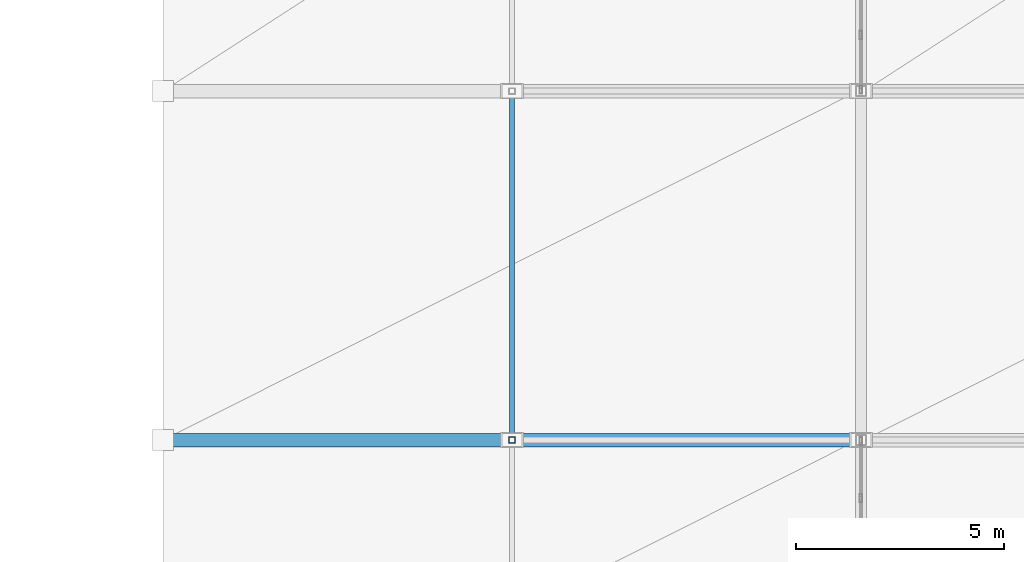
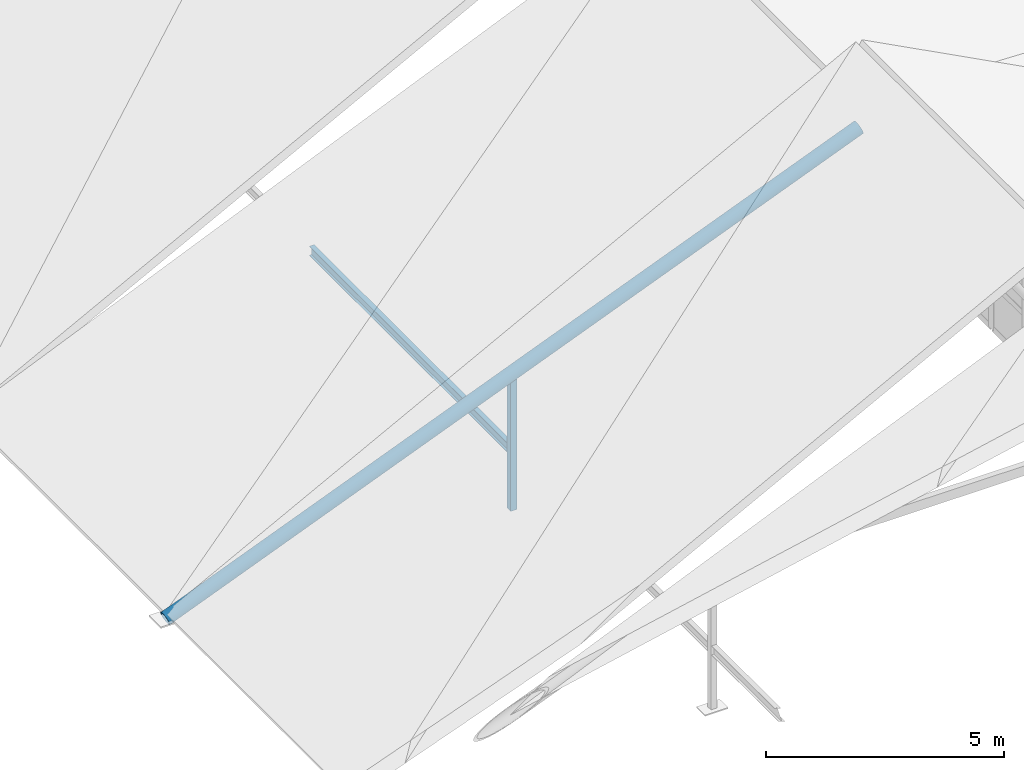
# One storey, part 26 of 76: 3 members.
"""IFC4 building model written with IfcOpenShell, lengths in metres."""

from ifc_helpers import new_model, si_unit, direction, frame, origin, origin_2d, place, context, subcontext, project, spatial, hollow_rectangle, hollow_circle, i_section, extrude, material, material_profile, profile_set, type_object, element, save


model = new_model("IFC4")

# Units and contexts
model_context = context("Model", 3, precision=1e-05, world=origin(), true_north=direction((0.0, 1.0)))
body_context = subcontext(model_context, "Body", "Model", "MODEL_VIEW")
ifc_project = project(units=[si_unit("LENGTHUNIT", "METRE"), si_unit("AREAUNIT", "SQUARE_METRE"), si_unit("VOLUMEUNIT", "CUBIC_METRE"), si_unit("PLANEANGLEUNIT", "RADIAN"), si_unit("MASSUNIT", "GRAM", prefix="KILO")], contexts=[model_context])

# Site, building, storey
site_placement = place(None, origin())
site = spatial("IfcSite", under=ifc_project, at=site_placement, CompositionType="ELEMENT")
building_placement = place(site_placement, origin())
building = spatial("IfcBuilding", under=site, at=building_placement, Name="Krzemoval Escarpment Law Courts", CompositionType="ELEMENT")
storey_placement = place(building_placement, frame((0.0, 0.0, 20.39990234375)))
storey = spatial("IfcBuildingStorey", under=building, at=storey_placement, Name="L04", CompositionType="ELEMENT", Elevation=20.39990234375)

# Members
ifc_material_1 = material(Name="Steel S355", Category="steel")
ifc_material_profile_1 = material_profile(ifc_material_1, hollow_circle(Radius=0.161865234375, WallThickness=0.01611328125, at=origin_2d()), Name="CHS 323.9x16")
ifc_profile_set_1 = profile_set([ifc_material_profile_1], Name="Steel S355")
member_type_1 = type_object("IfcMemberType", Name="MBR-CHD-CHS324", PredefinedType="CHORD", material=ifc_profile_set_1)
member_1_placement = place(storey_placement, frame((8.39990234375, 66.0, -0.14990234375), z_axis=(0.928858805287, 0.0, 0.370433961511), x_axis=(0.0, 1.0, 0.0)))
element("IfcMember", 1, at=member_1_placement, inside=storey, type_object=member_type_1, Name="Roof Rafter Chord TC-0028", PredefinedType="CHORD", context=body_context, shape_type="SweptSolid", body=[
    extrude(hollow_circle(Radius=0.161865234375, WallThickness=0.01611328125, at=origin_2d()), origin(), (0.0, 0.0, 1.0), 18.086669921875),
])
ifc_material_2 = material(Name="Steel S355", Category="steel")
ifc_material_profile_2 = material_profile(ifc_material_2, i_section(OverallWidth=0.1201171875, OverallDepth=0.239990234375, WebThickness=0.006103515625, FlangeThickness=0.009765625, at=origin_2d()), Name="IPE 240")
ifc_profile_set_2 = profile_set([ifc_material_profile_2], Name="Steel S355")
member_type_2 = type_object("IfcMemberType", Name="MBR-PUR-IPE240", PredefinedType="PURLIN", material=ifc_profile_set_2)
member_2_placement = place(storey_placement, frame((16.800048828125, 66.0, 1.25), z_axis=(0.0, 1.0, 0.0), x_axis=(-1.0, 0.0, 0.0)))
element("IfcMember", 2, at=member_2_placement, inside=storey, type_object=member_type_2, Name="Roof Purlin PR-0068", PredefinedType="PURLIN", context=body_context, shape_type="SweptSolid", body=[
    extrude(i_section(OverallWidth=0.1201171875, OverallDepth=0.239990234375, WebThickness=0.006103515625, FlangeThickness=0.009765625, at=origin_2d()), origin(), (0.0, 0.0, 1.0), 8.39990234375),
])
ifc_material_3 = material(Name="Steel S355", Category="steel")
ifc_material_profile_3 = material_profile(ifc_material_3, hollow_rectangle(XDim=0.14990234375, YDim=0.14990234375, WallThickness=0.008056640625, at=origin_2d()), Name="SHS 150x150x8")
ifc_profile_set_3 = profile_set([ifc_material_profile_3], Name="Steel S355")
member_type_3 = type_object("IfcMemberType", Name="MBR-STR-SHS150", PredefinedType="STRUT", material=ifc_profile_set_3)
member_3_placement = place(storey_placement, frame((16.800048828125, 66.0, -0.27978515625), z_axis=(0.0, 0.0, 1.0), x_axis=(1.0, 0.0, 0.0)))
element("IfcMember", 3, at=member_3_placement, inside=storey, type_object=member_type_3, Name="Roof Truss Web Strut ST-0026", PredefinedType="STRUT", context=body_context, shape_type="SweptSolid", body=[
    extrude(hollow_rectangle(XDim=0.14990234375, YDim=0.14990234375, WallThickness=0.008056640625, at=origin_2d()), origin(), (0.0, 0.0, 1.0), 3.47998046875),
])

save(model, "model.ifc")
